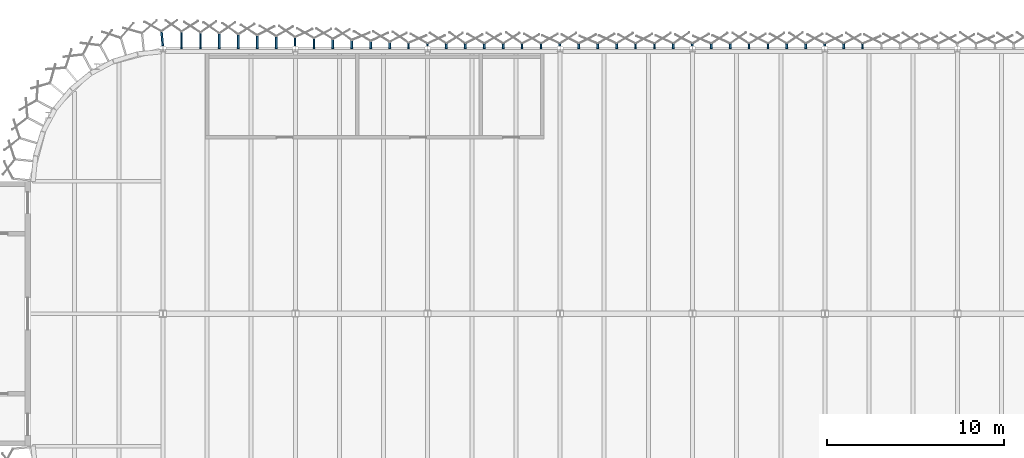
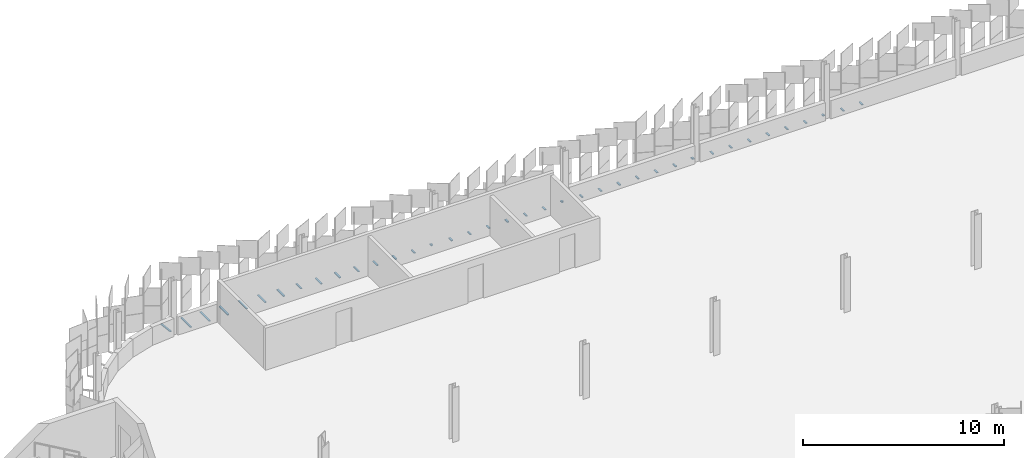
# One storey, part 174 of 198: 38 discrete accessories.
"""IFC4 building model written with IfcOpenShell, lengths in metres."""

from ifc_helpers import new_model, si_unit, direction, frame, origin, origin_2d, place, context, subcontext, project, spatial, rectangle, extrude, material, type_object, element, save


model = new_model("IFC4")

# Units and contexts
model_context = context("Model", 3, precision=1e-05, world=origin(), true_north=direction((0.0, 1.0)))
body_context = subcontext(model_context, "Body", "Model", "MODEL_VIEW")
ifc_project = project(units=[si_unit("LENGTHUNIT", "METRE"), si_unit("AREAUNIT", "SQUARE_METRE"), si_unit("VOLUMEUNIT", "CUBIC_METRE"), si_unit("PLANEANGLEUNIT", "RADIAN"), si_unit("MASSUNIT", "GRAM", prefix="KILO")], contexts=[model_context])

# Site, building, storey
site_placement = place(None, origin())
site = spatial("IfcSite", under=ifc_project, at=site_placement, CompositionType="ELEMENT")
building_placement = place(site_placement, origin())
building = spatial("IfcBuilding", under=site, at=building_placement, Name="Parallax Yard Mobility Hub", CompositionType="ELEMENT")
storey_placement = place(building_placement, frame((0.0, 0.0, 6.60009765625)))
storey = spatial("IfcBuildingStorey", under=building, at=storey_placement, Name="L02", CompositionType="ELEMENT", Elevation=6.60009765625)

# Discrete accessories
ifc_material = material(Name="Steel ASTM A36, hot-dip galvanised", Category="steel")
discrete_accessory_type = type_object("IfcDiscreteAccessoryType", Name="Hinge bracket plate 100x50", PredefinedType="BRACKET", material=ifc_material)
for number, where, z_axis, x_axis, name in (
    (1, (69.632568359375, 142.6416015625, -0.02490234375), (0.0, 0.0, 1.0), (0.0, 1.0, 0.0), "Hinge bracket plate bay 64.6 level L02"),
    (2, (68.56103515625, 142.6416015625, -0.02490234375), (0.0, 0.0, 1.0), (0.0, 1.0, 0.0), "Hinge bracket plate bay 64.7 level L02"),
):
    element("IfcDiscreteAccessory", number, at=place(storey_placement, frame(where, z_axis=z_axis, x_axis=x_axis)), inside=storey, type_object=discrete_accessory_type, Name=name, PredefinedType="BRACKET", context=body_context, shape_type="SweptSolid", body=[
        extrude(rectangle(XDim=0.2841796875, YDim=0.10009765625, at=origin_2d()), origin(), (0.0, 0.0, 1.0), 0.050048828125),
    ])
discrete_accessory_1_placement = place(storey_placement, frame((67.489501953125, 142.71826171875, -0.02490234375), z_axis=(0.0, 0.0, 1.0), x_axis=(0.0, 1.0, 0.0)))
element("IfcDiscreteAccessory", 3, at=discrete_accessory_1_placement, inside=storey, type_object=discrete_accessory_type, Name="Hinge bracket plate bay 65.1 level L02", PredefinedType="BRACKET", context=body_context, shape_type="SweptSolid", body=[
    extrude(rectangle(XDim=0.130615234375, YDim=0.10009765625, at=origin_2d()), origin(), (0.0, 0.0, 1.0), 0.050048828125),
])
for number, where, z_axis, x_axis, name in (
    (4, (66.41796875, 142.6416015625, -0.02490234375), (0.0, 0.0, 1.0), (0.0, 1.0, 0.0), "Hinge bracket plate bay 65.2 level L02"),
    (5, (65.34619140625, 142.6416015625, -0.02490234375), (0.0, 0.0, 1.0), (0.0, 1.0, 0.0), "Hinge bracket plate bay 65.3 level L02"),
    (6, (64.27490234375, 142.6416015625, -0.02490234375), (0.0, 0.0, 1.0), (0.0, 1.0, 0.0), "Hinge bracket plate bay 65.4 level L02"),
    (7, (63.203125, 142.6416015625, -0.02490234375), (0.0, 0.0, 1.0), (0.0, 1.0, 0.0), "Hinge bracket plate bay 65.5 level L02"),
    (8, (62.131591796875, 142.6416015625, -0.02490234375), (0.0, 0.0, 1.0), (0.0, 1.0, 0.0), "Hinge bracket plate bay 65.6 level L02"),
    (9, (61.06005859375, 142.6416015625, -0.02490234375), (0.0, 0.0, 1.0), (0.0, 1.0, 0.0), "Hinge bracket plate bay 65.7 level L02"),
):
    element("IfcDiscreteAccessory", number, at=place(storey_placement, frame(where, z_axis=z_axis, x_axis=x_axis)), inside=storey, type_object=discrete_accessory_type, Name=name, PredefinedType="BRACKET", context=body_context, shape_type="SweptSolid", body=[
        extrude(rectangle(XDim=0.2841796875, YDim=0.10009765625, at=origin_2d()), origin(), (0.0, 0.0, 1.0), 0.050048828125),
    ])
discrete_accessory_2_placement = place(storey_placement, frame((59.988525390625, 142.71826171875, -0.02490234375), z_axis=(0.0, 0.0, 1.0), x_axis=(0.0, 1.0, 0.0)))
element("IfcDiscreteAccessory", 10, at=discrete_accessory_2_placement, inside=storey, type_object=discrete_accessory_type, Name="Hinge bracket plate bay 66.1 level L02", PredefinedType="BRACKET", context=body_context, shape_type="SweptSolid", body=[
    extrude(rectangle(XDim=0.130615234375, YDim=0.10009765625, at=origin_2d()), origin(), (0.0, 0.0, 1.0), 0.050048828125),
])
for number, where, z_axis, x_axis, name in (
    (11, (58.9169921875, 142.6416015625, -0.02490234375), (0.0, 0.0, 1.0), (0.0, 1.0, 0.0), "Hinge bracket plate bay 66.2 level L02"),
    (12, (57.845458984375, 142.6416015625, -0.02490234375), (0.0, 0.0, 1.0), (0.0, 1.0, 0.0), "Hinge bracket plate bay 66.3 level L02"),
    (13, (56.77392578125, 142.6416015625, -0.02490234375), (0.0, 0.0, 1.0), (0.0, 1.0, 0.0), "Hinge bracket plate bay 66.4 level L02"),
    (14, (55.702392578125, 142.6416015625, -0.02490234375), (0.0, 0.0, 1.0), (0.0, 1.0, 0.0), "Hinge bracket plate bay 66.5 level L02"),
    (15, (54.630859375, 142.6416015625, -0.02490234375), (0.0, 0.0, 1.0), (0.0, 1.0, 0.0), "Hinge bracket plate bay 66.6 level L02"),
    (16, (53.55908203125, 142.6416015625, -0.02490234375), (0.0, 0.0, 1.0), (0.0, 1.0, 0.0), "Hinge bracket plate bay 66.7 level L02"),
):
    element("IfcDiscreteAccessory", number, at=place(storey_placement, frame(where, z_axis=z_axis, x_axis=x_axis)), inside=storey, type_object=discrete_accessory_type, Name=name, PredefinedType="BRACKET", context=body_context, shape_type="SweptSolid", body=[
        extrude(rectangle(XDim=0.2841796875, YDim=0.10009765625, at=origin_2d()), origin(), (0.0, 0.0, 1.0), 0.050048828125),
    ])
discrete_accessory_3_placement = place(storey_placement, frame((52.48779296875, 142.71826171875, -0.02490234375), z_axis=(0.0, 0.0, 1.0), x_axis=(0.0, 1.0, 0.0)))
element("IfcDiscreteAccessory", 17, at=discrete_accessory_3_placement, inside=storey, type_object=discrete_accessory_type, Name="Hinge bracket plate bay 67.1 level L02", PredefinedType="BRACKET", context=body_context, shape_type="SweptSolid", body=[
    extrude(rectangle(XDim=0.130615234375, YDim=0.10009765625, at=origin_2d()), origin(), (0.0, 0.0, 1.0), 0.050048828125),
])
for number, where, z_axis, x_axis, name in (
    (18, (51.416015625, 142.6416015625, -0.02490234375), (0.0, 0.0, 1.0), (0.0, 1.0, 0.0), "Hinge bracket plate bay 67.2 level L02"),
    (19, (50.344482421875, 142.6416015625, -0.02490234375), (0.0, 0.0, 1.0), (0.0, 1.0, 0.0), "Hinge bracket plate bay 67.3 level L02"),
    (20, (49.27294921875, 142.6416015625, -0.02490234375), (0.0, 0.0, 1.0), (0.0, 1.0, 0.0), "Hinge bracket plate bay 67.4 level L02"),
    (21, (48.201416015625, 142.6416015625, -0.02490234375), (0.0, 0.0, 1.0), (0.0, 1.0, 0.0), "Hinge bracket plate bay 67.5 level L02"),
    (22, (47.1298828125, 142.6416015625, -0.02490234375), (0.0, 0.0, 1.0), (0.0, 1.0, 0.0), "Hinge bracket plate bay 67.6 level L02"),
    (23, (46.058349609375, 142.6416015625, -0.02490234375), (0.0, 0.0, 1.0), (0.0, 1.0, 0.0), "Hinge bracket plate bay 67.7 level L02"),
):
    element("IfcDiscreteAccessory", number, at=place(storey_placement, frame(where, z_axis=z_axis, x_axis=x_axis)), inside=storey, type_object=discrete_accessory_type, Name=name, PredefinedType="BRACKET", context=body_context, shape_type="SweptSolid", body=[
        extrude(rectangle(XDim=0.2841796875, YDim=0.10009765625, at=origin_2d()), origin(), (0.0, 0.0, 1.0), 0.050048828125),
    ])
discrete_accessory_4_placement = place(storey_placement, frame((44.98681640625, 142.71826171875, -0.02490234375), z_axis=(0.0, 0.0, 1.0), x_axis=(0.0, 1.0, 0.0)))
element("IfcDiscreteAccessory", 24, at=discrete_accessory_4_placement, inside=storey, type_object=discrete_accessory_type, Name="Hinge bracket plate bay 68.1 level L02", PredefinedType="BRACKET", context=body_context, shape_type="SweptSolid", body=[
    extrude(rectangle(XDim=0.130615234375, YDim=0.10009765625, at=origin_2d()), origin(), (0.0, 0.0, 1.0), 0.050048828125),
])
discrete_accessory_5_placement = place(storey_placement, frame((43.915283203125, 142.662109375, -0.02490234375), z_axis=(0.0, 0.0, 1.0), x_axis=(0.0, 1.0, 0.0)))
element("IfcDiscreteAccessory", 25, at=discrete_accessory_5_placement, inside=storey, type_object=discrete_accessory_type, Name="Hinge bracket plate bay 68.2 level L02", PredefinedType="BRACKET", context=body_context, shape_type="SweptSolid", body=[
    extrude(rectangle(XDim=0.3251953125, YDim=0.10009765625, at=origin_2d()), origin(), (0.0, 0.0, 1.0), 0.050048828125),
])
discrete_accessory_6_placement = place(storey_placement, frame((42.84375, 142.68896484375, -0.02490234375), z_axis=(0.0, 0.0, 1.0), x_axis=(0.0, 1.0, 0.0)))
element("IfcDiscreteAccessory", 26, at=discrete_accessory_6_placement, inside=storey, type_object=discrete_accessory_type, Name="Hinge bracket plate bay 68.3 level L02", PredefinedType="BRACKET", context=body_context, shape_type="SweptSolid", body=[
    extrude(rectangle(XDim=0.37890625, YDim=0.10009765625, at=origin_2d()), origin(), (0.0, 0.0, 1.0), 0.050048828125),
])
discrete_accessory_7_placement = place(storey_placement, frame((41.772216796875, 142.7158203125, -0.02490234375), z_axis=(0.0, 0.0, 1.0), x_axis=(0.0, 1.0, 0.0)))
element("IfcDiscreteAccessory", 27, at=discrete_accessory_7_placement, inside=storey, type_object=discrete_accessory_type, Name="Hinge bracket plate bay 68.4 level L02", PredefinedType="BRACKET", context=body_context, shape_type="SweptSolid", body=[
    extrude(rectangle(XDim=0.432373046875, YDim=0.10009765625, at=origin_2d()), origin(), (0.0, 0.0, 1.0), 0.050048828125),
])
discrete_accessory_8_placement = place(storey_placement, frame((40.700439453125, 142.742431640625, -0.02490234375), z_axis=(0.0, 0.0, 1.0), x_axis=(0.0, 1.0, 0.0)))
element("IfcDiscreteAccessory", 28, at=discrete_accessory_8_placement, inside=storey, type_object=discrete_accessory_type, Name="Hinge bracket plate bay 68.5 level L02", PredefinedType="BRACKET", context=body_context, shape_type="SweptSolid", body=[
    extrude(rectangle(XDim=0.48583984375, YDim=0.10009765625, at=origin_2d()), origin(), (0.0, 0.0, 1.0), 0.050048828125),
])
discrete_accessory_9_placement = place(storey_placement, frame((39.62890625, 142.769287109375, -0.02490234375), z_axis=(0.0, 0.0, 1.0), x_axis=(0.0, 1.0, 0.0)))
element("IfcDiscreteAccessory", 29, at=discrete_accessory_9_placement, inside=storey, type_object=discrete_accessory_type, Name="Hinge bracket plate bay 68.6 level L02", PredefinedType="BRACKET", context=body_context, shape_type="SweptSolid", body=[
    extrude(rectangle(XDim=0.53955078125, YDim=0.10009765625, at=origin_2d()), origin(), (0.0, 0.0, 1.0), 0.050048828125),
])
discrete_accessory_10_placement = place(storey_placement, frame((38.557373046875, 142.7958984375, -0.02490234375), z_axis=(0.0, 0.0, 1.0), x_axis=(0.0, 1.0, 0.0)))
element("IfcDiscreteAccessory", 30, at=discrete_accessory_10_placement, inside=storey, type_object=discrete_accessory_type, Name="Hinge bracket plate bay 68.7 level L02", PredefinedType="BRACKET", context=body_context, shape_type="SweptSolid", body=[
    extrude(rectangle(XDim=0.593017578125, YDim=0.10009765625, at=origin_2d()), origin(), (0.0, 0.0, 1.0), 0.050048828125),
])
discrete_accessory_11_placement = place(storey_placement, frame((37.48583984375, 142.899658203125, -0.02490234375), z_axis=(0.0, 0.0, 1.0), x_axis=(0.0, 1.0, 0.0)))
element("IfcDiscreteAccessory", 31, at=discrete_accessory_11_placement, inside=storey, type_object=discrete_accessory_type, Name="Hinge bracket plate bay 69.1 level L02", PredefinedType="BRACKET", context=body_context, shape_type="SweptSolid", body=[
    extrude(rectangle(XDim=0.4931640625, YDim=0.10009765625, at=origin_2d()), origin(), (0.0, 0.0, 1.0), 0.050048828125),
])
discrete_accessory_12_placement = place(storey_placement, frame((36.414306640625, 142.849609375, -0.02490234375), z_axis=(0.0, 0.0, 1.0), x_axis=(0.0, 1.0, 0.0)))
element("IfcDiscreteAccessory", 32, at=discrete_accessory_12_placement, inside=storey, type_object=discrete_accessory_type, Name="Hinge bracket plate bay 69.2 level L02", PredefinedType="BRACKET", context=body_context, shape_type="SweptSolid", body=[
    extrude(rectangle(XDim=0.7001953125, YDim=0.10009765625, at=origin_2d()), origin(), (0.0, 0.0, 1.0), 0.050048828125),
])
discrete_accessory_13_placement = place(storey_placement, frame((35.3427734375, 142.87646484375, -0.02490234375), z_axis=(0.0, 0.0, 1.0), x_axis=(0.0, 1.0, 0.0)))
element("IfcDiscreteAccessory", 33, at=discrete_accessory_13_placement, inside=storey, type_object=discrete_accessory_type, Name="Hinge bracket plate bay 69.3 level L02", PredefinedType="BRACKET", context=body_context, shape_type="SweptSolid", body=[
    extrude(rectangle(XDim=0.75390625, YDim=0.10009765625, at=origin_2d()), origin(), (0.0, 0.0, 1.0), 0.050048828125),
])
discrete_accessory_14_placement = place(storey_placement, frame((34.271240234375, 142.9033203125, -0.02490234375), z_axis=(0.0, 0.0, 1.0), x_axis=(0.0, 1.0, 0.0)))
element("IfcDiscreteAccessory", 34, at=discrete_accessory_14_placement, inside=storey, type_object=discrete_accessory_type, Name="Hinge bracket plate bay 69.4 level L02", PredefinedType="BRACKET", context=body_context, shape_type="SweptSolid", body=[
    extrude(rectangle(XDim=0.807373046875, YDim=0.10009765625, at=origin_2d()), origin(), (0.0, 0.0, 1.0), 0.050048828125),
])
discrete_accessory_15_placement = place(storey_placement, frame((33.19970703125, 142.929931640625, -0.02490234375), z_axis=(0.0, 0.0, 1.0), x_axis=(0.0, 1.0, 0.0)))
element("IfcDiscreteAccessory", 35, at=discrete_accessory_15_placement, inside=storey, type_object=discrete_accessory_type, Name="Hinge bracket plate bay 69.5 level L02", PredefinedType="BRACKET", context=body_context, shape_type="SweptSolid", body=[
    extrude(rectangle(XDim=0.86083984375, YDim=0.10009765625, at=origin_2d()), origin(), (0.0, 0.0, 1.0), 0.050048828125),
])
discrete_accessory_16_placement = place(storey_placement, frame((32.128173828125, 142.956787109375, -0.02490234375), z_axis=(0.0, 0.0, 1.0), x_axis=(0.0, 1.0, 0.0)))
element("IfcDiscreteAccessory", 36, at=discrete_accessory_16_placement, inside=storey, type_object=discrete_accessory_type, Name="Hinge bracket plate bay 69.6 level L02", PredefinedType="BRACKET", context=body_context, shape_type="SweptSolid", body=[
    extrude(rectangle(XDim=0.91455078125, YDim=0.10009765625, at=origin_2d()), origin(), (0.0, 0.0, 1.0), 0.050048828125),
])
discrete_accessory_17_placement = place(storey_placement, frame((31.056396484375, 142.9833984375, -0.02490234375), z_axis=(0.0, 0.0, 1.0), x_axis=(0.0, 1.0, 0.0)))
element("IfcDiscreteAccessory", 37, at=discrete_accessory_17_placement, inside=storey, type_object=discrete_accessory_type, Name="Hinge bracket plate bay 69.7 level L02", PredefinedType="BRACKET", context=body_context, shape_type="SweptSolid", body=[
    extrude(rectangle(XDim=0.968017578125, YDim=0.10009765625, at=origin_2d()), origin(), (0.0, 0.0, 1.0), 0.050048828125),
])
discrete_accessory_18_placement = place(storey_placement, frame((29.957763671875, 143.076904296875, -0.02490234375), z_axis=(0.0, 0.0, 1.0), x_axis=(-0.09801714033, 0.995184726672, 0.0)))
element("IfcDiscreteAccessory", 38, at=discrete_accessory_18_placement, inside=storey, type_object=discrete_accessory_type, Name="Hinge bracket plate bay 70.1 level L02", PredefinedType="BRACKET", context=body_context, shape_type="SweptSolid", body=[
    extrude(rectangle(XDim=0.810791015625, YDim=0.10009765625, at=origin_2d()), origin(), (0.0, 0.0, 1.0), 0.050048828125),
])

save(model, "model.ifc")
